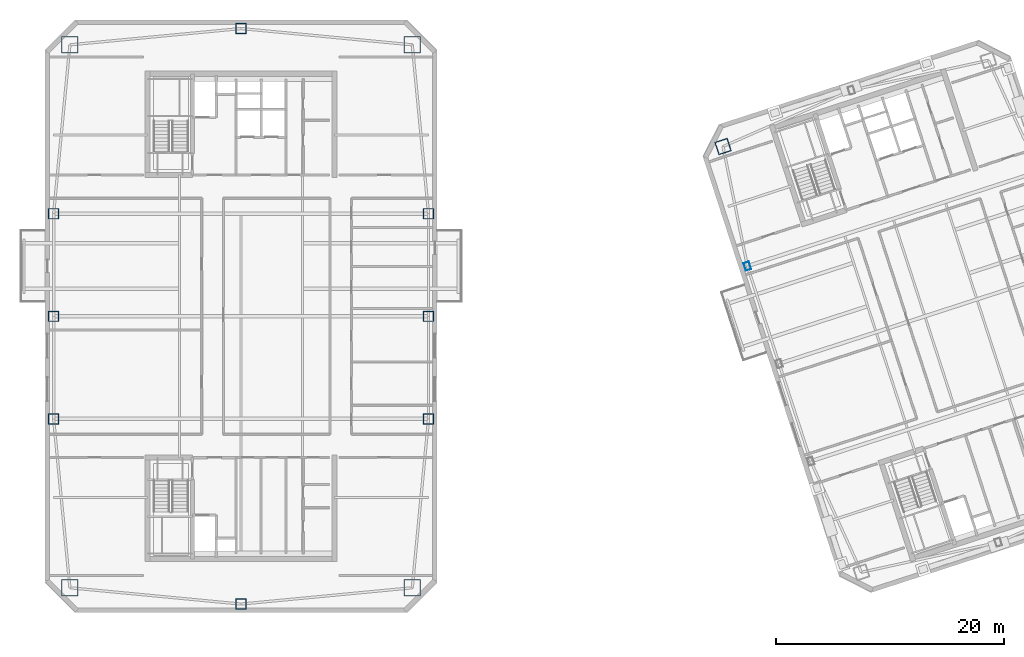
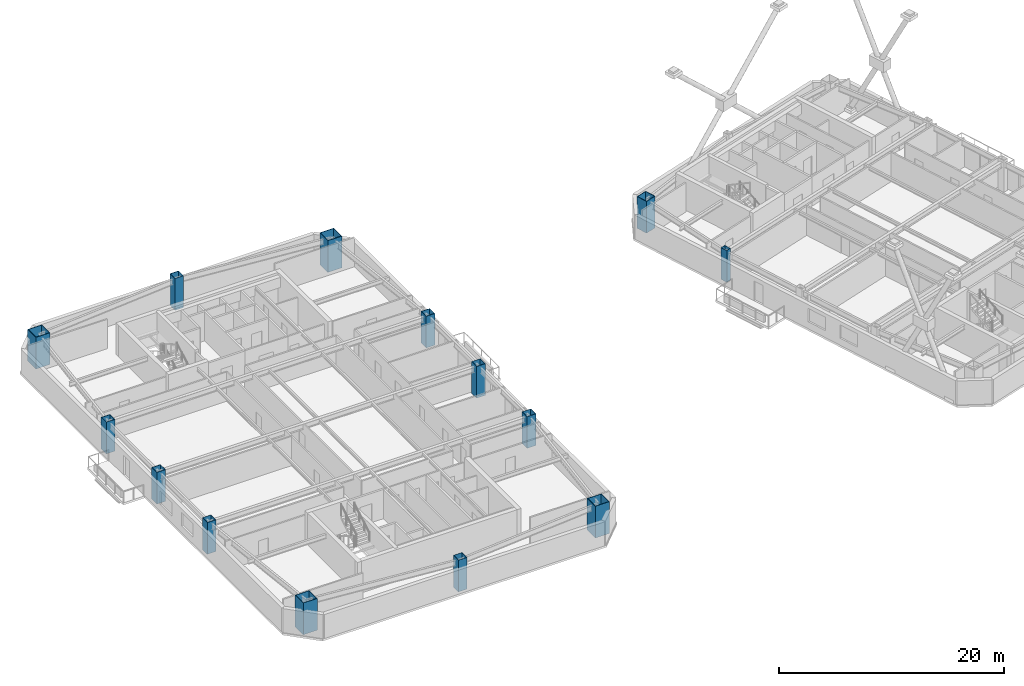
# One storey, part 1 of 16: 14 columns.
"""IFC4 building model written with IfcOpenShell, lengths in metres."""

from ifc_helpers import new_model, si_unit, direction, frame, origin, origin_2d, place, context, subcontext, project, spatial, hollow_rectangle, extrude, material, material_profile, profile_set, type_object, element, save


model = new_model("IFC4")

# Units and contexts
model_context = context("Model", 3, precision=1e-05, world=origin(), true_north=direction((0.0, 1.0)))
body_context = subcontext(model_context, "Body", "Model", "MODEL_VIEW")
ifc_project = project(units=[si_unit("LENGTHUNIT", "METRE"), si_unit("AREAUNIT", "SQUARE_METRE"), si_unit("VOLUMEUNIT", "CUBIC_METRE"), si_unit("PLANEANGLEUNIT", "RADIAN"), si_unit("MASSUNIT", "GRAM", prefix="KILO")], contexts=[model_context])

# Site, building, storey
site_placement = place(None, origin())
site = spatial("IfcSite", under=ifc_project, at=site_placement, CompositionType="ELEMENT")
building_placement = place(site_placement, origin())
building = spatial("IfcBuilding", under=site, at=building_placement, Name="Qiaolan Cultural Towers", CompositionType="ELEMENT")
storey_placement = place(building_placement, frame((0.0, 0.0, 198.949951171875)))
storey = spatial("IfcBuildingStorey", under=building, at=storey_placement, Name="L53", CompositionType="ELEMENT", Elevation=198.949951171875)

# Columns
ifc_material_1 = material(Name="Steel Q390GJB", Category="steel")
ifc_material_profile_1 = material_profile(ifc_material_1, hollow_rectangle(XDim=1.14990234375, YDim=1.14990234375, WallThickness=0.0400390625, at=origin_2d()), Name="BOX1150x1150x40")
ifc_profile_set_1 = profile_set([ifc_material_profile_1], Name="Steel Q390GJB")
column_type_1 = type_object("IfcColumnType", Name="COL-BOX1150x1150x40", PredefinedType="COLUMN", material=ifc_profile_set_1)
column_1_placement = place(storey_placement, frame((72.2900390625, 48.896484375, 0.0), z_axis=(0.0, 0.0, 1.0), x_axis=(0.951056516295, 0.309016994375, 0.0)))
element("IfcColumn", 1, at=column_1_placement, inside=storey, type_object=column_type_1, Name="L53 T2 Perimeter Column MC-NW", PredefinedType="COLUMN", context=body_context, shape_type="SweptSolid", body=[
    extrude(hollow_rectangle(XDim=1.14990234375, YDim=1.14990234375, WallThickness=0.0400390625, at=origin_2d()), origin(), (0.0, 0.0, 1.0), 3.450927734375),
])
ifc_material_2 = material(Name="Steel Q420GJB", Category="steel")
ifc_material_profile_2 = material_profile(ifc_material_2, hollow_rectangle(XDim=1.449951171875, YDim=1.449951171875, WallThickness=0.050048828125, at=origin_2d()), Name="BOX1450x1450x50")
ifc_profile_set_2 = profile_set([ifc_material_profile_2], Name="Steel Q420GJB")
column_type_2 = type_object("IfcColumnType", Name="COL-BOX1450x1450x50", PredefinedType="COLUMN", material=ifc_profile_set_2)
for number, where, z_axis, x_axis, name in (
    (2, (14.97998046875, 10.179931640625, 0.0), (0.0, 0.0, 1.0), (1.0, 0.0, 0.0), "L53 T1 Perimeter Column MC-SW"),
    (3, (45.02001953125, 10.179931640625, 0.0), (0.0, 0.0, 1.0), (1.0, 0.0, 0.0), "L53 T1 Perimeter Column MC-SE"),
    (4, (45.02001953125, 57.820068359375, 0.0), (0.0, 0.0, 1.0), (1.0, 0.0, 0.0), "L53 T1 Perimeter Column MC-NE"),
    (5, (14.97998046875, 57.820068359375, 0.0), (0.0, 0.0, 1.0), (1.0, 0.0, 0.0), "L53 T1 Perimeter Column MC-NW"),
):
    element("IfcColumn", number, at=place(storey_placement, frame(where, z_axis=z_axis, x_axis=x_axis)), inside=storey, type_object=column_type_2, Name=name, PredefinedType="COLUMN", context=body_context, shape_type="SweptSolid", body=[
        extrude(hollow_rectangle(XDim=1.449951171875, YDim=1.449951171875, WallThickness=0.050048828125, at=origin_2d()), origin(), (0.0, 0.0, 1.0), 3.450927734375),
    ])
ifc_material_3 = material(Name="Steel Q355B", Category="steel")
ifc_material_profile_3 = material_profile(ifc_material_3, hollow_rectangle(XDim=0.5, YDim=0.699951171875, WallThickness=0.02490234375, at=origin_2d()), Name="BOX700x500x25")
ifc_profile_set_3 = profile_set([ifc_material_profile_3], Name="Steel Q355B")
column_type_3 = type_object("IfcColumnType", Name="COL-BOX700x500x25", PredefinedType="COLUMN", material=ifc_profile_set_3)
column_2_placement = place(storey_placement, frame((74.42724609375, 38.4033203125, 0.0), z_axis=(0.0, 0.0, 1.0), x_axis=(0.951056516295, 0.309016994375, 0.0)))
element("IfcColumn", 6, at=column_2_placement, inside=storey, type_object=column_type_3, Name="L53 T2 Perimeter Column PC-W3", PredefinedType="COLUMN", context=body_context, shape_type="SweptSolid", body=[
    extrude(hollow_rectangle(XDim=0.5, YDim=0.699951171875, WallThickness=0.02490234375, at=origin_2d()), origin(), (0.0, 0.0, 1.0), 3.450927734375),
])
ifc_material_4 = material(Name="Steel Q355B", Category="steel")
ifc_material_profile_4 = material_profile(ifc_material_4, hollow_rectangle(XDim=0.89990234375, YDim=0.89990234375, WallThickness=0.031982421875, at=origin_2d()), Name="BOX900x900x32")
ifc_profile_set_4 = profile_set([ifc_material_profile_4], Name="Steel Q355B")
column_type_4 = type_object("IfcColumnType", Name="COL-BOX900x900x32", PredefinedType="COLUMN", material=ifc_profile_set_4)
for number, where, z_axis, x_axis, name in (
    (7, (13.550048828125, 25.0, 0.0), (0.0, 0.0, 1.0), (1.0, 0.0, 0.0), "L53 T1 Perimeter Column PC-W1"),
    (8, (13.550048828125, 34.0, 0.0), (0.0, 0.0, 1.0), (1.0, 0.0, 0.0), "L53 T1 Perimeter Column PC-W2"),
    (9, (13.550048828125, 43.0, 0.0), (0.0, 0.0, 1.0), (1.0, 0.0, 0.0), "L53 T1 Perimeter Column PC-W3"),
    (10, (46.449951171875, 25.0, 0.0), (0.0, 0.0, 1.0), (1.0, 0.0, 0.0), "L53 T1 Perimeter Column PC-E1"),
    (11, (46.449951171875, 34.0, 0.0), (0.0, 0.0, 1.0), (1.0, 0.0, 0.0), "L53 T1 Perimeter Column PC-E2"),
    (12, (46.449951171875, 43.0, 0.0), (0.0, 0.0, 1.0), (1.0, 0.0, 0.0), "L53 T1 Perimeter Column PC-E3"),
    (13, (30.0, 8.75, 0.0), (0.0, 0.0, 1.0), (1.0, 0.0, 0.0), "L53 T1 Perimeter Column PC-S0"),
    (14, (30.0, 59.25, 0.0), (0.0, 0.0, 1.0), (1.0, 0.0, 0.0), "L53 T1 Perimeter Column PC-N0"),
):
    element("IfcColumn", number, at=place(storey_placement, frame(where, z_axis=z_axis, x_axis=x_axis)), inside=storey, type_object=column_type_4, Name=name, PredefinedType="COLUMN", context=body_context, shape_type="SweptSolid", body=[
        extrude(hollow_rectangle(XDim=0.89990234375, YDim=0.89990234375, WallThickness=0.031982421875, at=origin_2d()), origin(), (0.0, 0.0, 1.0), 3.450927734375),
    ])

save(model, "model.ifc")
